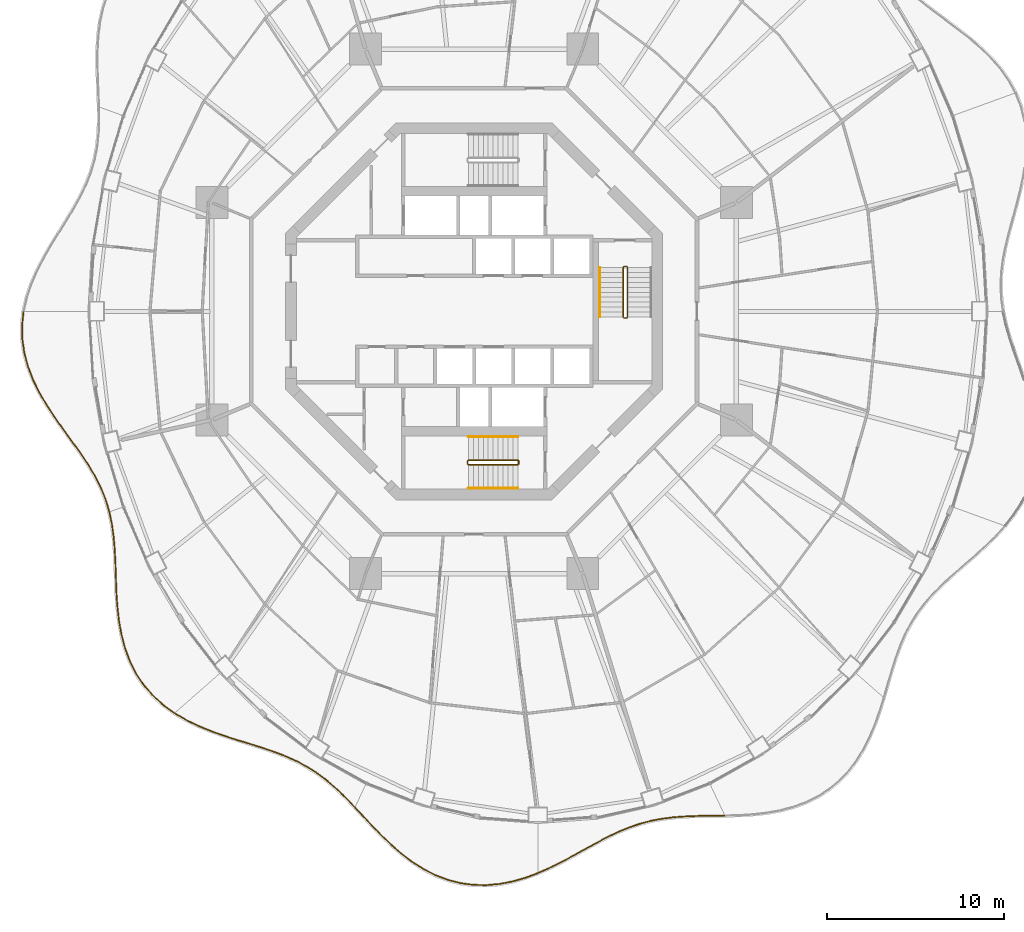
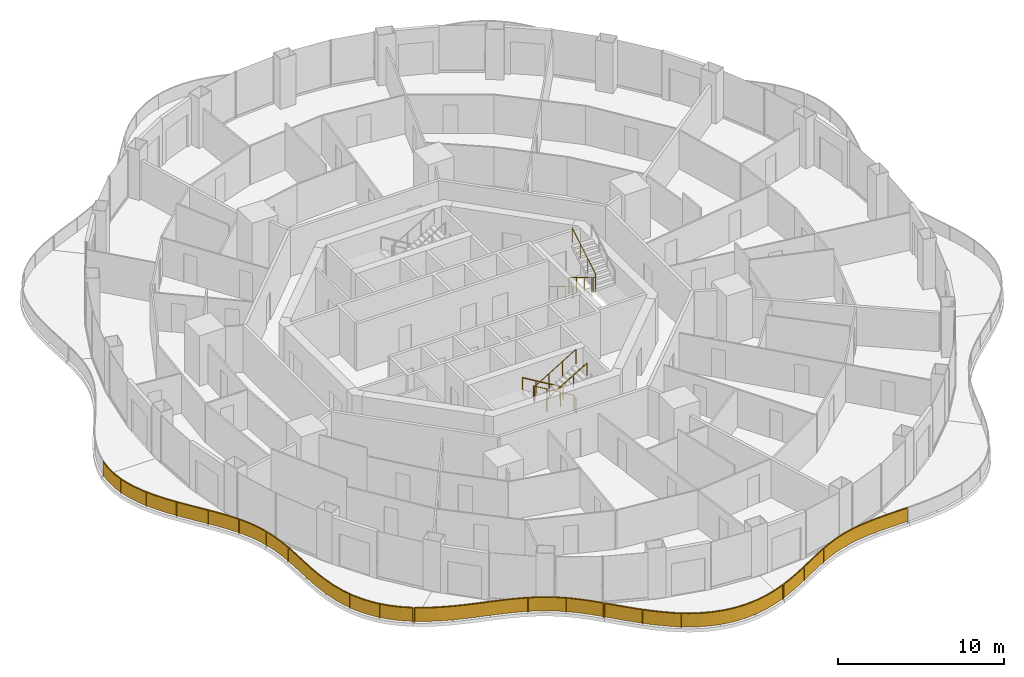
# One storey, part 17 of 19: 10 railings.
"""IFC4 building model written with IfcOpenShell, lengths in metres."""

from ifc_helpers import new_model, si_unit, direction, frame, origin, origin_2d, place, context, subcontext, project, spatial, polyline, rectangle, circle, outline, extrude, material, type_object, element, save


model = new_model("IFC4")

# Units and contexts
model_context = context("Model", 3, precision=1e-05, world=origin(), true_north=direction((0.0, 1.0)))
body_context = subcontext(model_context, "Body", "Model", "MODEL_VIEW")
ifc_project = project(units=[si_unit("LENGTHUNIT", "METRE"), si_unit("AREAUNIT", "SQUARE_METRE"), si_unit("VOLUMEUNIT", "CUBIC_METRE"), si_unit("PLANEANGLEUNIT", "RADIAN"), si_unit("MASSUNIT", "GRAM", prefix="KILO")], contexts=[model_context])

# Site, building, storey
site_placement = place(None, origin())
site = spatial("IfcSite", under=ifc_project, at=site_placement, CompositionType="ELEMENT")
building_placement = place(site_placement, origin())
building = spatial("IfcBuilding", under=site, at=building_placement, Name="Nagisa Residences", CompositionType="ELEMENT")
storey_placement = place(building_placement, frame((0.0, 0.0, 195.5)))
storey = spatial("IfcBuildingStorey", under=building, at=storey_placement, Name="L49", CompositionType="ELEMENT", Elevation=195.5)

# Railings
ifc_material_1 = material(Name="Stainless steel 316", Category="steel")
railing_type_1 = type_object("IfcRailingType", Name="BALCONY GUARD 1100", PredefinedType="BALUSTRADE", material=ifc_material_1)
railing_1_placement = place(storey_placement, frame((-25.39990234375, -0.03857421875, 0.0)))
element("IfcRailing", 1, at=railing_1_placement, inside=storey, type_object=railing_type_1, Name="guard:L49:bal08-0", PredefinedType="BALUSTRADE", context=body_context, shape_type="SweptSolid", body=[
    extrude(outline(polyline([(-0.0546875, -0.742431640625), (0.02490234375, -0.002685546875), (-0.02490234375, 0.002685546875), (-0.10498046875, -0.739990234375), (-0.09130859375, -1.5302734375), (0.0205078125, -2.31494140625), (0.2265625, -3.088623046875), (0.51806640625, -3.846923828125), (0.880859375, -4.57275390625), (1.30224609375, -5.291259765625), (1.76318359375, -5.989501953125), (2.24462890625, -6.66845703125), (2.727294921875, -7.33154296875), (3.189697265625, -7.97021484375), (3.621826171875, -8.6171875), (4.00830078125, -9.265380859375), (4.339111328125, -9.921875), (4.60888671875, -10.593505859375), (4.805419921875, -11.24658203125), (4.853271484375, -11.23193359375), (4.65625, -10.576904296875), (4.384521484375, -9.9013671875), (4.05224609375, -9.241455078125), (3.664306640625, -8.59033203125), (3.230712890625, -7.94140625), (2.767822265625, -7.30224609375), (2.28515625, -6.63916015625), (1.8046875, -5.961181640625), (1.3447265625, -5.264892578125), (0.9248046875, -4.548828125), (0.56396484375, -3.826904296875), (0.2744140625, -3.072998046875), (0.06982421875, -2.3046875), (-0.04150390625, -1.5263671875), (-0.0546875, -0.742431640625)])), frame((0.0, 0.0, 1.050048828125)), (0.0, 0.0, 1.0), 0.050048828125),
    extrude(outline(polyline([(-0.07275390625, -0.741455078125), (0.007080078125, -0.000732421875), (-0.007080078125, 0.000732421875), (-0.0869140625, -0.740966796875), (-0.073486328125, -1.52880859375), (0.038330078125, -2.311279296875), (0.243896484375, -3.0830078125), (0.53466796875, -3.83984375), (0.896728515625, -4.564208984375), (1.317626953125, -5.28173828125), (1.778076171875, -5.979248046875), (2.25927734375, -6.657958984375), (2.741943359375, -7.321044921875), (3.204345703125, -7.959716796875), (3.63720703125, -8.607421875), (4.024169921875, -9.2568359375), (4.35546875, -9.91455078125), (4.6259765625, -10.58740234375), (4.82275390625, -11.2412109375), (4.8359375, -11.2373046875), (4.63916015625, -10.5830078125), (4.3681640625, -9.90869140625), (4.036376953125, -9.25), (3.64892578125, -8.60009765625), (3.216064453125, -7.951904296875), (2.753173828125, -7.312744140625), (2.2705078125, -6.649658203125), (1.789794921875, -5.971435546875), (1.329345703125, -5.2744140625), (0.908935546875, -4.557373046875), (0.54736328125, -3.833984375), (0.257080078125, -3.07861328125), (0.052001953125, -2.308349609375), (-0.059326171875, -1.52783203125), (-0.07275390625, -0.741455078125)])), frame((0.0, 0.0, 0.06005859375)), (0.0, 0.0, 1.0), 0.989990234375),
    extrude(rectangle(XDim=0.0400390625, YDim=0.0400390625, at=origin_2d()), origin(), (0.0, 0.0, 1.0), 1.050048828125),
    extrude(rectangle(XDim=0.0400390625, YDim=0.0400390625, at=origin_2d()), frame((0.01220703125, -2.078125, 0.0)), (0.0, 0.0, 1.0), 1.050048828125),
    extrude(rectangle(XDim=0.0400390625, YDim=0.0400390625, at=origin_2d()), frame((0.651123046875, -4.05712890625, 0.0)), (0.0, 0.0, 1.0), 1.050048828125),
    extrude(rectangle(XDim=0.0400390625, YDim=0.0400390625, at=origin_2d()), frame((1.70556640625, -5.856689453125, 0.0)), (0.0, 0.0, 1.0), 1.050048828125),
    extrude(rectangle(XDim=0.0400390625, YDim=0.0400390625, at=origin_2d()), frame((2.920166015625, -7.55517578125, 0.0)), (0.0, 0.0, 1.0), 1.050048828125),
    extrude(rectangle(XDim=0.0400390625, YDim=0.0400390625, at=origin_2d()), frame((4.056396484375, -9.30517578125, 0.0)), (0.0, 0.0, 1.0), 1.050048828125),
    extrude(rectangle(XDim=0.0400390625, YDim=0.0400390625, at=origin_2d()), frame((4.829345703125, -11.2392578125, 0.0)), (0.0, 0.0, 1.0), 1.050048828125),
])
railing_2_placement = place(storey_placement, frame((-20.554443359375, -11.34521484375, 0.0)))
element("IfcRailing", 2, at=railing_2_placement, inside=storey, type_object=railing_type_1, Name="guard:L49:bal09-0", PredefinedType="BALUSTRADE", context=body_context, shape_type="SweptSolid", body=[
    extrude(outline(polyline([(0.162353515625, -0.651123046875), (0.0244140625, 0.005126953125), (-0.0244140625, -0.005126953125), (0.113037109375, -0.659912109375), (0.211669921875, -1.380126953125), (0.273193359375, -2.126708984375), (0.309814453125, -2.8974609375), (0.336669921875, -3.6884765625), (0.363037109375, -4.4814453125), (0.41796875, -5.2939453125), (0.5107421875, -6.10400390625), (0.654541015625, -6.901123046875), (0.861328125, -7.675537109375), (1.13232421875, -8.40478515625), (1.487060546875, -9.101806640625), (1.92138671875, -9.74853515625), (2.432373046875, -10.33837890625), (3.014404296875, -10.8671875), (3.622314453125, -11.30517578125), (3.651611328125, -11.2646484375), (3.046142578125, -10.828125), (2.468017578125, -10.30322265625), (1.96142578125, -9.71826171875), (1.530517578125, -9.076416015625), (1.17822265625, -8.384765625), (0.9091796875, -7.660400390625), (0.703369140625, -6.890380859375), (0.56005859375, -6.0966796875), (0.4677734375, -5.28955078125), (0.412841796875, -4.47900390625), (0.386474609375, -3.68701171875), (0.359619140625, -2.8955078125), (0.322998046875, -2.123291015625), (0.261474609375, -1.374755859375), (0.162353515625, -0.651123046875)])), frame((0.0, 0.0, 1.050048828125)), (0.0, 0.0, 1.0), 0.050048828125),
    extrude(outline(polyline([(0.14453125, -0.654296875), (0.0068359375, 0.00146484375), (-0.0068359375, -0.00146484375), (0.130859375, -0.65673828125), (0.2294921875, -1.378173828125), (0.291015625, -2.12548828125), (0.32763671875, -2.896728515625), (0.3544921875, -3.68798828125), (0.380859375, -4.48046875), (0.435791015625, -5.29248046875), (0.528564453125, -6.101318359375), (0.672119140625, -6.897216796875), (0.878662109375, -7.670166015625), (1.14892578125, -8.397705078125), (1.502685546875, -9.0927734375), (1.935791015625, -9.737548828125), (2.445068359375, -10.32568359375), (3.02587890625, -10.85302734375), (3.6328125, -11.29052734375), (3.64111328125, -11.279296875), (3.03466796875, -10.84228515625), (2.455322265625, -10.31591796875), (1.947021484375, -9.729248046875), (1.514892578125, -9.08544921875), (1.16162109375, -8.391845703125), (0.891845703125, -7.665771484375), (0.685791015625, -6.894287109375), (0.542236328125, -6.099365234375), (0.449951171875, -5.291015625), (0.39501953125, -4.47998046875), (0.36865234375, -3.6875), (0.341796875, -2.896240234375), (0.30517578125, -2.12451171875), (0.24365234375, -1.376708984375), (0.14453125, -0.654296875)])), frame((0.0, 0.0, 0.06005859375)), (0.0, 0.0, 1.0), 0.989990234375),
    extrude(rectangle(XDim=0.0400390625, YDim=0.0400390625, at=origin_2d()), origin(), (0.0, 0.0, 1.0), 1.050048828125),
    extrude(rectangle(XDim=0.0400390625, YDim=0.0400390625, at=origin_2d()), frame((0.291015625, -2.0400390625, 0.0)), (0.0, 0.0, 1.0), 1.050048828125),
    extrude(rectangle(XDim=0.0400390625, YDim=0.0400390625, at=origin_2d()), frame((0.375244140625, -4.101318359375, 0.0)), (0.0, 0.0, 1.0), 1.050048828125),
    extrude(rectangle(XDim=0.0400390625, YDim=0.0400390625, at=origin_2d()), frame((0.54541015625, -6.156494140625, 0.0)), (0.0, 0.0, 1.0), 1.050048828125),
    extrude(rectangle(XDim=0.0400390625, YDim=0.0400390625, at=origin_2d()), frame((1.063720703125, -8.1484375, 0.0)), (0.0, 0.0, 1.0), 1.050048828125),
    extrude(rectangle(XDim=0.0400390625, YDim=0.0400390625, at=origin_2d()), frame((2.10205078125, -9.9189453125, 0.0)), (0.0, 0.0, 1.0), 1.050048828125),
    extrude(rectangle(XDim=0.0400390625, YDim=0.0400390625, at=origin_2d()), frame((3.636962890625, -11.284912109375, 0.0)), (0.0, 0.0, 1.0), 1.050048828125),
])
railing_3_placement = place(storey_placement, frame((-16.8525390625, -22.671875, 0.0)))
element("IfcRailing", 3, at=railing_3_placement, inside=storey, type_object=railing_type_1, Name="guard:L49:bal10-0", PredefinedType="BALUSTRADE", context=body_context, shape_type="SweptSolid", body=[
    extrude(outline(polyline([(0.634521484375, -0.342041015625), (0.0126953125, 0.021484375), (-0.0126953125, -0.021484375), (0.611083984375, -0.385986328125), (1.310791015625, -0.726806640625), (2.03515625, -1.024169921875), (2.772216796875, -1.287353515625), (3.510498046875, -1.526611328125), (4.227783203125, -1.741943359375), (4.9384765625, -1.96630859375), (5.6240234375, -2.201171875), (6.280029296875, -2.456787109375), (6.90380859375, -2.742919921875), (7.482177734375, -3.05712890625), (8.04541015625, -3.423095703125), (8.58447265625, -3.833984375), (9.105712890625, -4.288818359375), (9.616455078125, -4.78369140625), (10.0927734375, -5.28076171875), (10.12890625, -5.24609375), (9.652099609375, -4.74853515625), (9.139404296875, -4.252197265625), (8.6162109375, -3.79541015625), (8.07421875, -3.382080078125), (7.507568359375, -3.01416015625), (6.92626953125, -2.697998046875), (6.299560546875, -2.410888671875), (5.64111328125, -2.154296875), (4.9541015625, -1.9189453125), (4.242431640625, -1.694091796875), (3.525634765625, -1.478759765625), (2.788330078125, -1.239990234375), (2.05322265625, -0.977294921875), (1.331298828125, -0.680908203125), (0.634521484375, -0.342041015625)])), frame((0.0, 0.0, 1.050048828125)), (0.0, 0.0, 1.0), 0.050048828125),
    extrude(outline(polyline([(0.626220703125, -0.35791015625), (0.00341796875, 0.006103515625), (-0.00341796875, -0.006103515625), (0.619384765625, -0.3701171875), (1.318115234375, -0.710205078125), (2.041748046875, -1.00732421875), (2.778076171875, -1.270263671875), (3.515869140625, -1.50927734375), (4.233154296875, -1.724609375), (4.944091796875, -1.94921875), (5.630126953125, -2.184326171875), (6.287109375, -2.440185546875), (6.911865234375, -2.726806640625), (7.4912109375, -3.041748046875), (8.0556640625, -3.408203125), (8.595947265625, -3.820068359375), (9.117919921875, -4.275634765625), (9.62939453125, -4.77099609375), (10.105712890625, -5.268310546875), (10.115966796875, -5.258544921875), (9.63916015625, -4.76123046875), (9.127197265625, -4.265380859375), (8.604736328125, -3.809326171875), (8.06396484375, -3.39697265625), (7.49853515625, -3.029541015625), (6.918212890625, -2.714111328125), (6.29248046875, -2.427490234375), (5.635009765625, -2.171142578125), (4.948486328125, -1.93603515625), (4.237060546875, -1.71142578125), (3.520263671875, -1.49609375), (2.782470703125, -1.257080078125), (2.046630859375, -0.994140625), (1.323974609375, -0.697509765625), (0.626220703125, -0.35791015625)])), frame((0.0, 0.0, 0.06005859375)), (0.0, 0.0, 1.0), 0.989990234375),
    extrude(rectangle(XDim=0.0400390625, YDim=0.0400390625, at=origin_2d()), origin(), (0.0, 0.0, 1.0), 1.050048828125),
    extrude(rectangle(XDim=0.0400390625, YDim=0.0400390625, at=origin_2d()), frame((2.07421875, -1.011474609375, 0.0)), (0.0, 0.0, 1.0), 1.050048828125),
    extrude(rectangle(XDim=0.0400390625, YDim=0.0400390625, at=origin_2d()), frame((4.27099609375, -1.729248046875, 0.0)), (0.0, 0.0, 1.0), 1.050048828125),
    extrude(rectangle(XDim=0.0400390625, YDim=0.0400390625, at=origin_2d()), frame((6.446533203125, -2.505615234375, 0.0)), (0.0, 0.0, 1.0), 1.050048828125),
    extrude(rectangle(XDim=0.0400390625, YDim=0.0400390625, at=origin_2d()), frame((8.427734375, -3.68310546875, 0.0)), (0.0, 0.0, 1.0), 1.050048828125),
    extrude(rectangle(XDim=0.0400390625, YDim=0.0400390625, at=origin_2d()), frame((10.11083984375, -5.263427734375, 0.0)), (0.0, 0.0, 1.0), 1.050048828125),
])
railing_4_placement = place(storey_placement, frame((-6.69189453125, -27.99072265625, 0.0)))
element("IfcRailing", 4, at=railing_4_placement, inside=storey, type_object=railing_type_1, Name="guard:L49:bal11-0", PredefinedType="BALUSTRADE", context=body_context, shape_type="SweptSolid", body=[
    extrude(outline(polyline([(0.48193359375, -0.483154296875), (0.018310546875, 0.01708984375), (-0.018310546875, -0.01708984375), (0.4453125, -0.517333984375), (0.9541015625, -1.059814453125), (1.48193359375, -1.601318359375), (2.033935546875, -2.128173828125), (2.613525390625, -2.626953125), (3.2060546875, -3.078857421875), (3.845947265625, -3.482177734375), (4.514404296875, -3.8203125), (5.2080078125, -4.08447265625), (5.9228515625, -4.268310546875), (6.63818359375, -4.36572265625), (7.376220703125, -4.381591796875), (8.11962890625, -4.315673828125), (8.860107421875, -4.174072265625), (9.591796875, -3.965087890625), (10.2646484375, -3.71337890625), (10.2470703125, -3.66650390625), (9.576171875, -3.917724609375), (8.848388671875, -4.125244140625), (8.11279296875, -4.265869140625), (7.374755859375, -4.331298828125), (6.64208984375, -4.31591796875), (5.9326171875, -4.218994140625), (5.22314453125, -4.03662109375), (4.534423828125, -3.7744140625), (3.870849609375, -3.438720703125), (3.23486328125, -3.037841796875), (2.645263671875, -2.587890625), (2.067626953125, -2.091064453125), (1.51708984375, -1.565673828125), (0.990234375, -1.025146484375), (0.48193359375, -0.483154296875)])), frame((0.0, 0.0, 1.050048828125)), (0.0, 0.0, 1.0), 0.050048828125),
    extrude(outline(polyline([(0.46875, -0.495361328125), (0.005126953125, 0.004638671875), (-0.005126953125, -0.004638671875), (0.45849609375, -0.505126953125), (0.967041015625, -1.04736328125), (1.49462890625, -1.58837890625), (2.046142578125, -2.11474609375), (2.625, -2.61279296875), (3.216552734375, -3.064208984375), (3.85498046875, -3.466552734375), (4.521484375, -3.8037109375), (5.21337890625, -4.067138671875), (5.92626953125, -4.25048828125), (6.6396484375, -4.347900390625), (7.375732421875, -4.363525390625), (8.1171875, -4.297607421875), (8.85595703125, -4.156494140625), (9.586181640625, -3.947998046875), (10.25830078125, -3.696533203125), (10.25341796875, -3.683349609375), (9.581787109375, -3.934814453125), (8.8525390625, -4.142822265625), (8.115234375, -4.283935546875), (7.375244140625, -4.349365234375), (6.640625, -4.333740234375), (5.92919921875, -4.23681640625), (5.2177734375, -4.053955078125), (4.52734375, -3.791015625), (3.86181640625, -3.454345703125), (3.224365234375, -3.052490234375), (2.6337890625, -2.60205078125), (2.055419921875, -2.1044921875), (1.50439453125, -1.57861328125), (0.977294921875, -1.03759765625), (0.46875, -0.495361328125)])), frame((0.0, 0.0, 0.06005859375)), (0.0, 0.0, 1.0), 0.989990234375),
    extrude(rectangle(XDim=0.0400390625, YDim=0.0400390625, at=origin_2d()), origin(), (0.0, 0.0, 1.0), 1.050048828125),
    extrude(rectangle(XDim=0.0400390625, YDim=0.0400390625, at=origin_2d()), frame((1.636474609375, -1.714111328125, 0.0)), (0.0, 0.0, 1.0), 1.050048828125),
    extrude(rectangle(XDim=0.0400390625, YDim=0.0400390625, at=origin_2d()), frame((3.46630859375, -3.21337890625, 0.0)), (0.0, 0.0, 1.0), 1.050048828125),
    extrude(rectangle(XDim=0.0400390625, YDim=0.0400390625, at=origin_2d()), frame((5.623046875, -4.165283203125, 0.0)), (0.0, 0.0, 1.0), 1.050048828125),
    extrude(rectangle(XDim=0.0400390625, YDim=0.0400390625, at=origin_2d()), frame((7.974365234375, -4.303466796875, 0.0)), (0.0, 0.0, 1.0), 1.050048828125),
    extrude(rectangle(XDim=0.0400390625, YDim=0.0400390625, at=origin_2d()), frame((10.255859375, -3.68994140625, 0.0)), (0.0, 0.0, 1.0), 1.050048828125),
])
railing_5_placement = place(storey_placement, frame((3.635009765625, -31.65087890625, 0.0)))
element("IfcRailing", 5, at=railing_5_placement, inside=storey, type_object=railing_type_1, Name="guard:L49:bal12-0", PredefinedType="BALUSTRADE", context=body_context, shape_type="SweptSolid", body=[
    extrude(outline(polyline([(0.64599609375, 0.3154296875), (-0.01025390625, 0.02294921875), (0.01025390625, -0.02294921875), (0.66748046875, 0.27001953125), (1.35107421875, 0.610107421875), (2.015869140625, 0.96630859375), (2.6630859375, 1.32470703125), (3.295166015625, 1.67236328125), (3.898681640625, 1.994384765625), (4.51318359375, 2.286865234375), (5.126708984375, 2.539794921875), (5.744873046875, 2.7490234375), (6.372802734375, 2.9130859375), (6.9990234375, 3.028076171875), (7.660400390625, 3.108642578125), (8.342041015625, 3.15673828125), (9.04541015625, 3.18115234375), (9.768310546875, 3.192626953125), (10.46240234375, 3.199951171875), (10.4619140625, 3.249755859375), (9.767822265625, 3.242431640625), (9.0439453125, 3.23095703125), (8.339599609375, 3.20654296875), (7.655517578125, 3.158447265625), (6.99169921875, 3.077392578125), (6.362060546875, 2.9619140625), (5.730712890625, 2.796875), (5.109130859375, 2.586669921875), (4.49267578125, 2.332763671875), (3.876220703125, 2.039306640625), (3.271240234375, 1.71630859375), (2.638671875, 1.36865234375), (1.991943359375, 1.01025390625), (1.328125, 0.654541015625), (0.64599609375, 0.3154296875)])), frame((0.0, 0.0, 1.050048828125)), (0.0, 0.0, 1.0), 0.050048828125),
    extrude(outline(polyline([(0.65380859375, 0.299072265625), (-0.0029296875, 0.00634765625), (0.0029296875, -0.00634765625), (0.65966796875, 0.286376953125), (1.3427734375, 0.626220703125), (2.00732421875, 0.982177734375), (2.654296875, 1.340576171875), (3.28662109375, 1.688232421875), (3.890625, 2.010498046875), (4.505859375, 2.303466796875), (5.120361328125, 2.556640625), (5.73974609375, 2.766357421875), (6.368896484375, 2.9306640625), (6.996337890625, 3.0458984375), (7.65869140625, 3.12646484375), (8.34130859375, 3.174560546875), (9.044921875, 3.198974609375), (9.76806640625, 3.21044921875), (10.462158203125, 3.2177734375), (10.462158203125, 3.23193359375), (9.76806640625, 3.224609375), (9.04443359375, 3.213134765625), (8.34033203125, 3.188720703125), (7.6572265625, 3.140625), (6.994384765625, 3.0595703125), (6.365966796875, 2.9443359375), (5.73583984375, 2.779541015625), (5.115478515625, 2.56982421875), (4.5, 2.316162109375), (3.88427734375, 2.023193359375), (3.27978515625, 1.700439453125), (2.6474609375, 1.352783203125), (2.00048828125, 0.994384765625), (1.33642578125, 0.638427734375), (0.65380859375, 0.299072265625)])), frame((0.0, 0.0, 0.06005859375)), (0.0, 0.0, 1.0), 0.989990234375),
    extrude(rectangle(XDim=0.0400390625, YDim=0.0400390625, at=origin_2d()), origin(), (0.0, 0.0, 1.0), 1.050048828125),
    extrude(rectangle(XDim=0.0400390625, YDim=0.0400390625, at=origin_2d()), frame((1.99853515625, 0.9853515625, 0.0)), (0.0, 0.0, 1.0), 1.050048828125),
    extrude(rectangle(XDim=0.0400390625, YDim=0.0400390625, at=origin_2d()), frame((3.956787109375, 2.0498046875, 0.0)), (0.0, 0.0, 1.0), 1.050048828125),
    extrude(rectangle(XDim=0.0400390625, YDim=0.0400390625, at=origin_2d()), frame((6.03271484375, 2.85009765625, 0.0)), (0.0, 0.0, 1.0), 1.050048828125),
    extrude(rectangle(XDim=0.0400390625, YDim=0.0400390625, at=origin_2d()), frame((8.23388671875, 3.174072265625, 0.0)), (0.0, 0.0, 1.0), 1.050048828125),
    extrude(rectangle(XDim=0.0400390625, YDim=0.0400390625, at=origin_2d()), frame((10.462158203125, 3.224853515625, 0.0)), (0.0, 0.0, 1.0), 1.050048828125),
])
ifc_material_2 = material(Name="Stainless steel", Category="steel")
railing_type_2 = type_object("IfcRailingType", Name="Stair guard 1100", PredefinedType="GUARDRAIL", material=ifc_material_2)
railing_6_placement = place(storey_placement, frame((8.599609375, 2.52490234375, 0.0)))
element("IfcRailing", 6, at=railing_6_placement, inside=storey, type_object=railing_type_2, Name="L49 ST-E stair guard 1", PredefinedType="GUARDRAIL", context=body_context, shape_type="SweptSolid", body=[
    extrude(circle(Radius=0.02392578125, at=origin_2d()), frame((0.0, 0.0, 1.076171875), z_axis=(-1.0, 0.0, 0.0), x_axis=(0.0, -1.0, 0.0)), (0.0, 0.0, 1.0), 0.14990234375),
    extrude(circle(Radius=0.02392578125, at=origin_2d()), frame((-0.14990234375, 0.0, 1.076171875), z_axis=(-0.27434429532, -0.273006030465, 0.922064485248), x_axis=(0.705375805398, -0.708833529934, 0.0)), (0.0, 0.0, 1.0), 0.182373046875),
    extrude(circle(Radius=0.02392578125, at=origin_2d()), frame((-0.199951171875, -0.0498046875, 1.244140625), z_axis=(0.0, -0.857242210791, 0.514913383045), x_axis=(1.0, 0.0, 0.0)), (0.0, 0.0, 1.0), 3.266357421875),
    extrude(circle(Radius=0.02392578125, at=origin_2d()), frame((-0.199951171875, -2.849853515625, 2.92626953125), z_axis=(0.707106781187, -0.707106781187, 0.0), x_axis=(0.707106781187, 0.707106781187, 0.0)), (0.0, 0.0, 1.0), 0.07080078125),
    extrude(circle(Radius=0.02392578125, at=origin_2d()), frame((-0.14990234375, -2.89990234375, 2.92626953125), z_axis=(1.0, 0.0, 0.0), x_axis=(0.0, 1.0, 0.0)), (0.0, 0.0, 1.0), 0.14990234375),
    extrude(circle(Radius=0.02392578125, at=origin_2d()), frame((0.0, -2.89990234375, 2.92626953125), z_axis=(0.274582412415, 0.274582412415, 0.921525364591), x_axis=(-0.707106781187, 0.707106781187, 0.0)), (0.0, 0.0, 1.0), 0.182373046875),
    extrude(circle(Radius=0.02392578125, at=origin_2d()), frame((0.050048828125, -2.849853515625, 3.09423828125), z_axis=(0.0, 0.857242210791, 0.514913383045), x_axis=(-1.0, 0.0, 0.0)), (0.0, 0.0, 1.0), 3.266357421875),
    extrude(circle(Radius=0.02099609375, at=origin_2d()), origin(), (0.0, 0.0, 1.0), 1.052001953125),
    extrude(circle(Radius=0.02099609375, at=origin_2d()), frame((-0.14990234375, 0.0, 0.0)), (0.0, 0.0, 1.0), 1.052001953125),
    extrude(circle(Radius=0.02099609375, at=origin_2d()), frame((-0.199951171875, -0.0498046875, 0.168212890625)), (0.0, 0.0, 1.0), 1.052001953125),
    extrude(circle(Radius=0.02099609375, at=origin_2d()), frame((-0.199951171875, -0.983154296875, 0.728759765625)), (0.0, 0.0, 1.0), 1.052001953125),
    extrude(circle(Radius=0.02099609375, at=origin_2d()), frame((-0.199951171875, -1.91650390625, 1.28955078125)), (0.0, 0.0, 1.0), 1.052001953125),
    extrude(circle(Radius=0.02099609375, at=origin_2d()), frame((-0.199951171875, -2.849853515625, 1.85009765625)), (0.0, 0.0, 1.0), 1.052001953125),
    extrude(circle(Radius=0.02099609375, at=origin_2d()), frame((-0.14990234375, -2.89990234375, 1.85009765625)), (0.0, 0.0, 1.0), 1.052001953125),
    extrude(circle(Radius=0.02099609375, at=origin_2d()), frame((0.0, -2.89990234375, 1.85009765625)), (0.0, 0.0, 1.0), 1.052001953125),
    extrude(circle(Radius=0.02099609375, at=origin_2d()), frame((0.050048828125, -2.849853515625, 2.01806640625)), (0.0, 0.0, 1.0), 1.052001953125),
    extrude(circle(Radius=0.02099609375, at=origin_2d()), frame((0.050048828125, -1.91650390625, 2.57861328125)), (0.0, 0.0, 1.0), 1.052001953125),
    extrude(circle(Radius=0.02099609375, at=origin_2d()), frame((0.050048828125, -0.983154296875, 3.139404296875)), (0.0, 0.0, 1.0), 1.052001953125),
    extrude(circle(Radius=0.02099609375, at=origin_2d()), frame((0.050048828125, -0.0498046875, 3.699951171875)), (0.0, 0.0, 1.0), 1.052001953125),
])
railing_7_placement = place(storey_placement, frame((2.52490234375, -8.599609375, 0.0)))
element("IfcRailing", 7, at=railing_7_placement, inside=storey, type_object=railing_type_2, Name="L49 ST-S stair guard 1", PredefinedType="GUARDRAIL", context=body_context, shape_type="SweptSolid", body=[
    extrude(circle(Radius=0.02392578125, at=origin_2d()), frame((0.0, 0.0, 1.076171875), z_axis=(0.0, 1.0, 0.0), x_axis=(-1.0, 0.0, 0.0)), (0.0, 0.0, 1.0), 0.14990234375),
    extrude(circle(Radius=0.02392578125, at=origin_2d()), frame((0.0, 0.14990234375, 1.076171875), z_axis=(-0.273006030465, 0.27434429532, 0.922064485248), x_axis=(-0.708833529934, -0.705375805398, 0.0)), (0.0, 0.0, 1.0), 0.182373046875),
    extrude(circle(Radius=0.02392578125, at=origin_2d()), frame((-0.0498046875, 0.199951171875, 1.244140625), z_axis=(-0.857242210791, 0.0, 0.514913383045), x_axis=(0.0, -1.0, 0.0)), (0.0, 0.0, 1.0), 3.266357421875),
    extrude(circle(Radius=0.02392578125, at=origin_2d()), frame((-2.849853515625, 0.199951171875, 2.92626953125), z_axis=(-0.707106781187, -0.707106781187, 0.0), x_axis=(0.707106781187, -0.707106781187, 0.0)), (0.0, 0.0, 1.0), 0.07080078125),
    extrude(circle(Radius=0.02392578125, at=origin_2d()), frame((-2.89990234375, 0.14990234375, 2.92626953125), z_axis=(0.0, -1.0, 0.0), x_axis=(1.0, 0.0, 0.0)), (0.0, 0.0, 1.0), 0.14990234375),
    extrude(circle(Radius=0.02392578125, at=origin_2d()), frame((-2.89990234375, 0.0, 2.92626953125), z_axis=(0.274582412415, -0.274582412415, 0.921525364591), x_axis=(0.707106781187, 0.707106781187, 0.0)), (0.0, 0.0, 1.0), 0.182373046875),
    extrude(circle(Radius=0.02392578125, at=origin_2d()), frame((-2.849853515625, -0.050048828125, 3.09423828125), z_axis=(0.857242210791, 0.0, 0.514913383045), x_axis=(0.0, 1.0, 0.0)), (0.0, 0.0, 1.0), 3.266357421875),
    extrude(circle(Radius=0.02099609375, at=origin_2d()), origin(), (0.0, 0.0, 1.0), 1.052001953125),
    extrude(circle(Radius=0.02099609375, at=origin_2d()), frame((0.0, 0.14990234375, 0.0)), (0.0, 0.0, 1.0), 1.052001953125),
    extrude(circle(Radius=0.02099609375, at=origin_2d()), frame((-0.0498046875, 0.199951171875, 0.168212890625)), (0.0, 0.0, 1.0), 1.052001953125),
    extrude(circle(Radius=0.02099609375, at=origin_2d()), frame((-0.983154296875, 0.199951171875, 0.728759765625)), (0.0, 0.0, 1.0), 1.052001953125),
    extrude(circle(Radius=0.02099609375, at=origin_2d()), frame((-1.91650390625, 0.199951171875, 1.28955078125)), (0.0, 0.0, 1.0), 1.052001953125),
    extrude(circle(Radius=0.02099609375, at=origin_2d()), frame((-2.849853515625, 0.199951171875, 1.85009765625)), (0.0, 0.0, 1.0), 1.052001953125),
    extrude(circle(Radius=0.02099609375, at=origin_2d()), frame((-2.89990234375, 0.14990234375, 1.85009765625)), (0.0, 0.0, 1.0), 1.052001953125),
    extrude(circle(Radius=0.02099609375, at=origin_2d()), frame((-2.89990234375, 0.0, 1.85009765625)), (0.0, 0.0, 1.0), 1.052001953125),
    extrude(circle(Radius=0.02099609375, at=origin_2d()), frame((-2.849853515625, -0.050048828125, 2.01806640625)), (0.0, 0.0, 1.0), 1.052001953125),
    extrude(circle(Radius=0.02099609375, at=origin_2d()), frame((-1.91650390625, -0.050048828125, 2.57861328125)), (0.0, 0.0, 1.0), 1.052001953125),
    extrude(circle(Radius=0.02099609375, at=origin_2d()), frame((-0.983154296875, -0.050048828125, 3.139404296875)), (0.0, 0.0, 1.0), 1.052001953125),
    extrude(circle(Radius=0.02099609375, at=origin_2d()), frame((-0.0498046875, -0.050048828125, 3.699951171875)), (0.0, 0.0, 1.0), 1.052001953125),
])
ifc_material_3 = material(Name="Stainless steel", Category="steel")
railing_type_3 = type_object("IfcRailingType", Name="Stair handrail 900", PredefinedType="HANDRAIL", material=ifc_material_3)
railing_8_placement = place(storey_placement, frame((7.07470703125, 2.47509765625, 0.168212890625)))
element("IfcRailing", 8, at=railing_8_placement, inside=storey, type_object=railing_type_3, Name="L49 ST-E stair handrail 1", PredefinedType="HANDRAIL", context=body_context, shape_type="SweptSolid", body=[
    extrude(circle(Radius=0.02392578125, at=origin_2d()), frame((0.0, 0.0, 0.8759765625), z_axis=(0.0, -0.857242210791, 0.514913383045), x_axis=(1.0, 0.0, 0.0)), (0.0, 0.0, 1.0), 3.266357421875),
    extrude(circle(Radius=0.02099609375, at=origin_2d()), origin(), (0.0, 0.0, 1.0), 0.851806640625),
    extrude(circle(Radius=0.02099609375, at=origin_2d()), frame((0.0, -0.933349609375, 0.560546875)), (0.0, 0.0, 1.0), 0.851806640625),
    extrude(circle(Radius=0.02099609375, at=origin_2d()), frame((0.0, -1.86669921875, 1.121337890625)), (0.0, 0.0, 1.0), 0.851806640625),
    extrude(circle(Radius=0.02099609375, at=origin_2d()), frame((0.0, -2.800048828125, 1.681884765625)), (0.0, 0.0, 1.0), 0.851806640625),
])
railing_9_placement = place(storey_placement, frame((2.47509765625, -7.07470703125, 0.168212890625)))
element("IfcRailing", 9, at=railing_9_placement, inside=storey, type_object=railing_type_3, Name="L49 ST-S stair handrail 1", PredefinedType="HANDRAIL", context=body_context, shape_type="SweptSolid", body=[
    extrude(circle(Radius=0.02392578125, at=origin_2d()), frame((0.0, 0.0, 0.8759765625), z_axis=(-0.857242210791, 0.0, 0.514913383045), x_axis=(0.0, -1.0, 0.0)), (0.0, 0.0, 1.0), 3.266357421875),
    extrude(circle(Radius=0.02099609375, at=origin_2d()), origin(), (0.0, 0.0, 1.0), 0.851806640625),
    extrude(circle(Radius=0.02099609375, at=origin_2d()), frame((-0.933349609375, 0.0, 0.560546875)), (0.0, 0.0, 1.0), 0.851806640625),
    extrude(circle(Radius=0.02099609375, at=origin_2d()), frame((-1.86669921875, 0.0, 1.121337890625)), (0.0, 0.0, 1.0), 0.851806640625),
    extrude(circle(Radius=0.02099609375, at=origin_2d()), frame((-2.800048828125, 0.0, 1.681884765625)), (0.0, 0.0, 1.0), 0.851806640625),
])
railing_10_placement = place(storey_placement, frame((-0.324951171875, -9.974609375, 2.01806640625)))
element("IfcRailing", 10, at=railing_10_placement, inside=storey, type_object=railing_type_3, Name="L49 ST-S stair handrail 2", PredefinedType="HANDRAIL", context=body_context, shape_type="SweptSolid", body=[
    extrude(circle(Radius=0.02392578125, at=origin_2d()), frame((0.0, 0.0, 0.8759765625), z_axis=(0.857242210791, 0.0, 0.514913383045), x_axis=(0.0, 1.0, 0.0)), (0.0, 0.0, 1.0), 3.266357421875),
    extrude(circle(Radius=0.02099609375, at=origin_2d()), origin(), (0.0, 0.0, 1.0), 0.851806640625),
    extrude(circle(Radius=0.02099609375, at=origin_2d()), frame((0.933349609375, 0.0, 0.560546875)), (0.0, 0.0, 1.0), 0.851806640625),
    extrude(circle(Radius=0.02099609375, at=origin_2d()), frame((1.86669921875, 0.0, 1.121337890625)), (0.0, 0.0, 1.0), 0.851806640625),
    extrude(circle(Radius=0.02099609375, at=origin_2d()), frame((2.800048828125, 0.0, 1.681884765625)), (0.0, 0.0, 1.0), 0.851806640625),
])

save(model, "model.ifc")
